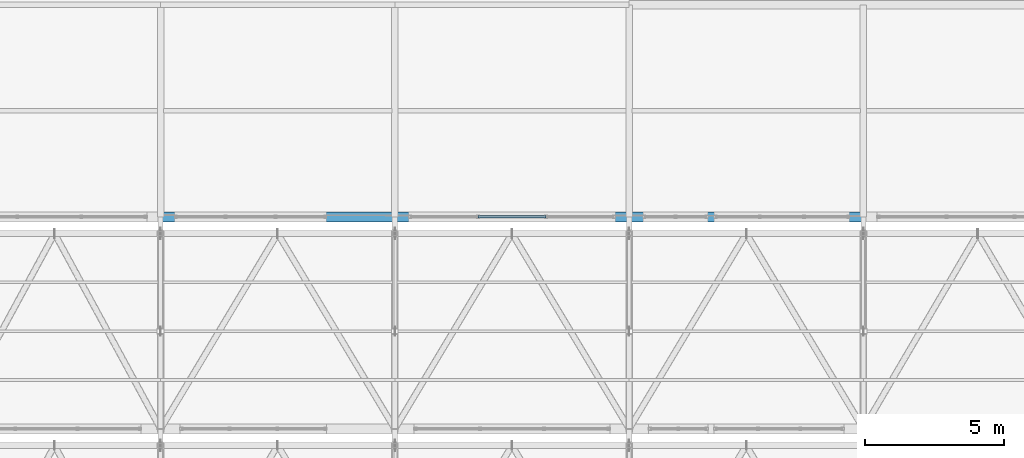
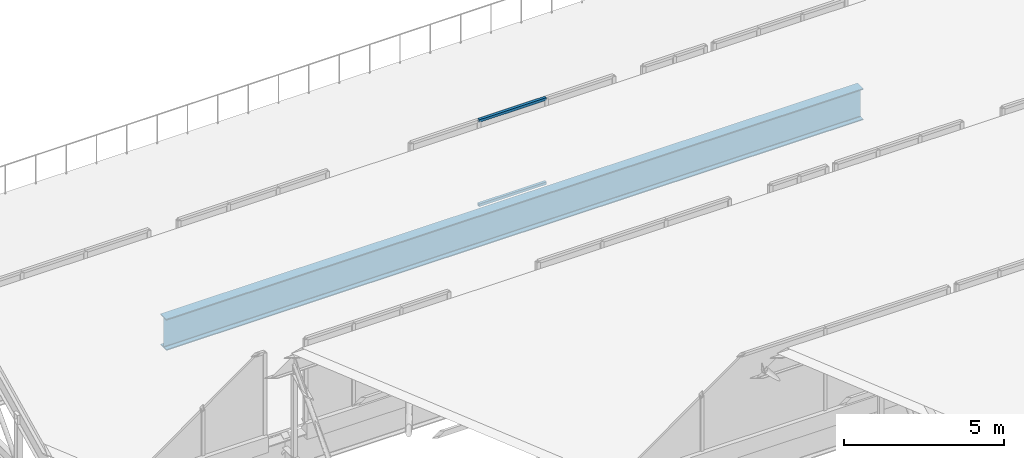
# One storey, part 35 of 57: 2 members, 1 beam, 1 element without a shape of its own.
"""IFC4 building model written with IfcOpenShell, lengths in metres."""

from ifc_helpers import new_model, si_unit, direction, frame, origin, origin_2d, place, context, subcontext, project, spatial, hollow_rectangle, i_section, extrude, material, material_profile, profile_set, type_object, element, aggregate, save


model = new_model("IFC4")

# Units and contexts
model_context = context("Model", 3, precision=1e-05, world=origin(), true_north=direction((0.0, 1.0)))
body_context = subcontext(model_context, "Body", "Model", "MODEL_VIEW")
ifc_project = project(units=[si_unit("LENGTHUNIT", "METRE"), si_unit("AREAUNIT", "SQUARE_METRE"), si_unit("VOLUMEUNIT", "CUBIC_METRE"), si_unit("PLANEANGLEUNIT", "RADIAN"), si_unit("MASSUNIT", "GRAM", prefix="KILO")], contexts=[model_context])

# Site, building, storey
site_placement = place(None, origin())
site = spatial("IfcSite", under=ifc_project, at=site_placement, CompositionType="ELEMENT")
building_placement = place(site_placement, origin())
building = spatial("IfcBuilding", under=site, at=building_placement, Name="Zuvorla Pavilion Media Centre", CompositionType="ELEMENT")
storey_placement = place(building_placement, frame((0.0, 0.0, 18.0)))
storey = spatial("IfcBuildingStorey", under=building, at=storey_placement, Name="L04", CompositionType="ELEMENT", Elevation=18.0)

# Beam
ifc_material_1 = material(Name="Steel S355", Category="steel")
ifc_material_profile_1 = material_profile(ifc_material_1, i_section(OverallWidth=0.360107421875, OverallDepth=1.199951171875, WebThickness=0.02001953125, FlangeThickness=0.0380859375, FilletRadius=0.02392578125, at=origin_2d()), Name="PG 1200x360x38")
ifc_profile_set_1 = profile_set([ifc_material_profile_1], Name="Steel S355")
beam_type = type_object("IfcBeamType", Name="BM-PG1200", PredefinedType="BEAM", material=ifc_profile_set_1)
beam_placement = place(storey_placement, frame((125.60009765625, 44.0, -0.887939453125), z_axis=(1.0, 0.0, 0.0), x_axis=(0.0, 1.0, 0.0)))
element("IfcBeam", 1, at=beam_placement, inside=storey, type_object=beam_type, Name="L04 beam B01 1830", PredefinedType="BEAM", context=body_context, shape_type="SweptSolid", body=[
    extrude(i_section(OverallWidth=0.360107421875, OverallDepth=1.199951171875, WebThickness=0.02001953125, FlangeThickness=0.0380859375, FilletRadius=0.02392578125, at=origin_2d()), origin(), (0.0, 0.0, 1.0), 25.199951171875),
])

# Curtain wall, members
ifc_material_2 = material(Name="Unitised anodised aluminium and solar glass curtain wall", Category="aluminium")
curtain_wall_type = type_object("IfcCurtainWallType", Name="CW-SYS-97", PredefinedType="USERDEFINED", material=ifc_material_2)
curtain_wall_placement = place(storey_placement, origin())
curtain_wall = element("IfcCurtainWall", 2, at=curtain_wall_placement, inside=storey, type_object=curtain_wall_type, Name="L04 curtain wall CW97 248", ObjectType="CURTAIN WALL", PredefinedType="USERDEFINED")
ifc_material_3 = material(Name="Anodised aluminium 6063-T6", Category="aluminium")
ifc_material_profile_2 = material_profile(ifc_material_3, hollow_rectangle(XDim=0.10009765625, YDim=0.10009765625, WallThickness=0.00439453125, at=origin_2d()), Name="ALU TRAN 100x100")
ifc_profile_set_2 = profile_set([ifc_material_profile_2], Name="Anodised aluminium 6063-T6")
member_type = type_object("IfcMemberType", Name="CW-TRAN-100", PredefinedType="USERDEFINED", material=ifc_profile_set_2)
member_1_placement = place(storey_placement, frame((136.98095703125, 44.0, 0.0), z_axis=(1.0, 0.0, 0.0), x_axis=(0.0, 1.0, 0.0)))
member_1 = element("IfcMember", 3, at=member_1_placement, type_object=member_type, Name="CW97 transom 2.1", ObjectType="TRANSOM", PredefinedType="USERDEFINED", context=body_context, shape_type="SweptSolid", body=[
    extrude(hollow_rectangle(XDim=0.10009765625, YDim=0.10009765625, WallThickness=0.00439453125, at=origin_2d()), origin(), (0.0, 0.0, 1.0), 2.438232421875),
])
member_2_placement = place(storey_placement, frame((136.98095703125, 44.0, 3.219970703125), z_axis=(1.0, 0.0, 0.0), x_axis=(0.0, 1.0, 0.0)))
member_2 = element("IfcMember", 4, at=member_2_placement, type_object=member_type, Name="CW97 transom 2.2", ObjectType="TRANSOM", PredefinedType="USERDEFINED", context=body_context, shape_type="SweptSolid", body=[
    extrude(hollow_rectangle(XDim=0.10009765625, YDim=0.10009765625, WallThickness=0.00439453125, at=origin_2d()), origin(), (0.0, 0.0, 1.0), 2.438232421875),
])
aggregate(curtain_wall, [member_1, member_2])

save(model, "model.ifc")
